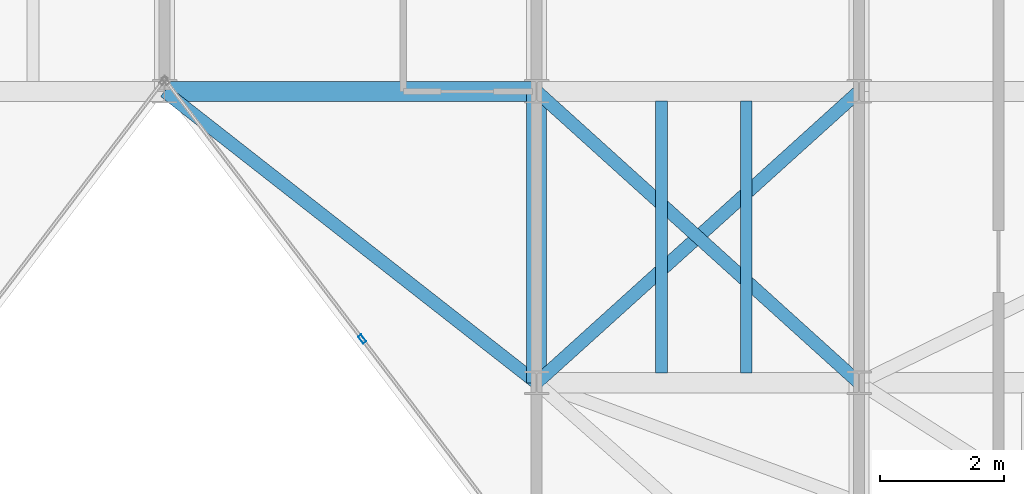
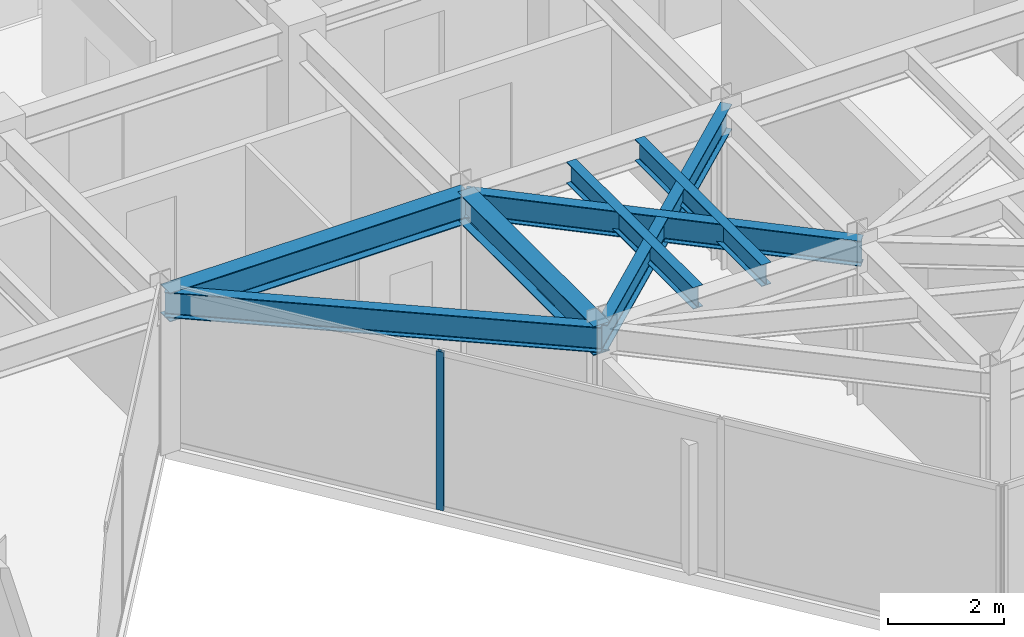
# One storey, part 8 of 17: 7 beams, 1 member, 1 element without a shape of its own.
"""IFC4 building model written with IfcOpenShell, lengths in metres."""

from ifc_helpers import new_model, si_unit, direction, frame, origin, origin_2d, place, context, subcontext, project, spatial, hollow_rectangle, i_section, extrude, material, layer, layer_set, material_profile, profile_set, type_object, element, aggregate, save


model = new_model("IFC4")

# Units and contexts
model_context = context("Model", 3, precision=1e-05, world=origin(), true_north=direction((0.0, 1.0)))
body_context = subcontext(model_context, "Body", "Model", "MODEL_VIEW")
ifc_project = project(units=[si_unit("LENGTHUNIT", "METRE"), si_unit("AREAUNIT", "SQUARE_METRE"), si_unit("VOLUMEUNIT", "CUBIC_METRE"), si_unit("PLANEANGLEUNIT", "RADIAN"), si_unit("MASSUNIT", "GRAM", prefix="KILO")], contexts=[model_context])

# Site, building, storey
site_placement = place(None, origin())
site = spatial("IfcSite", under=ifc_project, at=site_placement, CompositionType="ELEMENT")
building_placement = place(site_placement, origin())
building = spatial("IfcBuilding", under=site, at=building_placement, Name="Kravanh Interchange Tower", CompositionType="ELEMENT")
storey_placement = place(building_placement, frame((0.0, 0.0, 293.10009765625)))
storey = spatial("IfcBuildingStorey", under=building, at=storey_placement, Name="L72", CompositionType="ELEMENT", Elevation=293.10009765625)

# Curtain wall, member
ifc_material_1 = material(Name="Anodised Bronze Aluminium", Category="aluminium")
ifc_layer = layer(ifc_material_1, 0.179931640625)
ifc_layer_set = layer_set([ifc_layer], Name="Unitised Curtain Wall System CW-HTL Luxury Hotel")
curtain_wall_type = type_object("IfcCurtainWallType", Name="Unitised Curtain Wall System CW-HTL Luxury Hotel", PredefinedType="NOTDEFINED", material=ifc_layer_set)
curtain_wall_placement = place(storey_placement, origin())
curtain_wall = element("IfcCurtainWall", 1, at=curtain_wall_placement, inside=storey, type_object=curtain_wall_type, Name="L72 Unitised Curtain Wall CW-L72-04", PredefinedType="NOTDEFINED")
ifc_material_2 = material(Name="Anodised Bronze Aluminium", Category="aluminium")
ifc_material_profile_1 = material_profile(ifc_material_2, hollow_rectangle(XDim=0.06005859375, YDim=0.139892578125, WallThickness=0.00390625, at=origin_2d()), Name="ALU60X140X4")
ifc_profile_set_1 = profile_set([ifc_material_profile_1], Name="Anodised Bronze Aluminium")
member_type = type_object("IfcMemberType", Name="Curtain Wall Mullion ALU60X140X4 Bronze", PredefinedType="MULLION", material=ifc_profile_set_1)
member_placement = place(storey_placement, frame((47.986572265625, 27.505615234375, 0.0), z_axis=(0.0, 0.0, 1.0), x_axis=(-0.79616243806, -0.605082946564, 0.0)))
member = element("IfcMember", 2, at=member_placement, type_object=member_type, Name="CW-HTL mullion 3", PredefinedType="MULLION", context=body_context, shape_type="SweptSolid", body=[
    extrude(hollow_rectangle(XDim=0.06005859375, YDim=0.139892578125, WallThickness=0.00390625, at=origin_2d()), origin(), (0.0, 0.0, 1.0), 3.349853515625),
])
aggregate(curtain_wall, [member])

# Beams
ifc_material_3 = material(Name="Structural Steel S355", Category="steel")
ifc_material_profile_2 = material_profile(ifc_material_3, i_section(OverallWidth=0.323974609375, OverallDepth=0.611083984375, WebThickness=0.0126953125, FlangeThickness=0.01904296875, FilletRadius=0.02197265625, at=origin_2d()), Name="W24X104")
ifc_profile_set_2 = profile_set([ifc_material_profile_2], Name="Structural Steel S355")
beam_type_1 = type_object("IfcBeamType", Name="Floor Beam W24X104 Structural Steel S355", PredefinedType="BEAM", material=ifc_profile_set_2)
beam_1_placement = place(storey_placement, frame((44.800048828125, 31.5, 3.04443359375), z_axis=(1.0, 0.0, 0.0), x_axis=(0.0, 1.0, 0.0)))
element("IfcBeam", 3, at=beam_1_placement, inside=storey, type_object=beam_type_1, Name="L72 Primary Floor Girder 2", PredefinedType="BEAM", context=body_context, shape_type="SweptSolid", body=[
    extrude(i_section(OverallWidth=0.323974609375, OverallDepth=0.611083984375, WebThickness=0.0126953125, FlangeThickness=0.01904296875, FilletRadius=0.02197265625, at=origin_2d()), origin(), (0.0, 0.0, 1.0), 6.0),
])
beam_2_placement = place(storey_placement, frame((50.800048828125, 31.5, 3.04443359375), z_axis=(0.0, -1.0, 0.0), x_axis=(1.0, 0.0, 0.0)))
element("IfcBeam", 4, at=beam_2_placement, inside=storey, type_object=beam_type_1, Name="L72 Primary Floor Girder 5", PredefinedType="BEAM", context=body_context, shape_type="SweptSolid", body=[
    extrude(i_section(OverallWidth=0.323974609375, OverallDepth=0.611083984375, WebThickness=0.0126953125, FlangeThickness=0.01904296875, FilletRadius=0.02197265625, at=origin_2d()), origin(), (0.0, 0.0, 1.0), 4.699951171875),
])
ifc_material_4 = material(Name="Structural Steel S355", Category="steel")
ifc_material_profile_3 = material_profile(ifc_material_4, i_section(OverallWidth=0.18994140625, OverallDepth=0.45703125, WebThickness=0.009033203125, FlangeThickness=0.014404296875, FilletRadius=0.01806640625, at=origin_2d()), Name="W18X50")
ifc_profile_set_3 = profile_set([ifc_material_profile_3], Name="Structural Steel S355")
beam_type_2 = type_object("IfcBeamType", Name="Floor Joist W18X50 Structural Steel S355", PredefinedType="JOIST", material=ifc_profile_set_3)
for number, where, z_axis, x_axis, name in (
    (5, (52.81494140625, 26.95703125, 3.121337890625), (0.0, 1.0, 0.0), (-1.0, 0.0, 0.0), "L72 Secondary Floor Joist 5"),
    (6, (54.179931640625, 26.95703125, 3.121337890625), (0.0, 1.0, 0.0), (-1.0, 0.0, 0.0), "L72 Secondary Floor Joist 6"),
):
    element("IfcBeam", number, at=place(storey_placement, frame(where, z_axis=z_axis, x_axis=x_axis)), inside=storey, type_object=beam_type_2, Name=name, PredefinedType="JOIST", context=body_context, shape_type="SweptSolid", body=[
        extrude(i_section(OverallWidth=0.18994140625, OverallDepth=0.45703125, WebThickness=0.009033203125, FlangeThickness=0.014404296875, FilletRadius=0.01806640625, at=origin_2d()), origin(), (0.0, 0.0, 1.0), 4.385986328125),
    ])
ifc_material_5 = material(Name="Structural Steel S355", Category="steel")
ifc_material_profile_4 = material_profile(ifc_material_5, i_section(OverallWidth=0.2099609375, OverallDepth=0.537109375, WebThickness=0.010986328125, FlangeThickness=0.017333984375, FilletRadius=0.02001953125, at=origin_2d()), Name="W21X68")
ifc_profile_set_4 = profile_set([ifc_material_profile_4], Name="Structural Steel S355")
beam_type_3 = type_object("IfcBeamType", Name="Floor Spandrel W21X68 Structural Steel S355", PredefinedType="SPANDREL", material=ifc_profile_set_4)
beam_3_placement = place(storey_placement, frame((44.800048828125, 31.5, 3.081298828125), z_axis=(0.787231163579, -0.616658004967, 0.0), x_axis=(0.616658004967, 0.787231163579, 0.0)))
element("IfcBeam", 7, at=beam_3_placement, inside=storey, type_object=beam_type_3, Name="L72 Perimeter Spandrel 4", PredefinedType="SPANDREL", context=body_context, shape_type="SweptSolid", body=[
    extrude(i_section(OverallWidth=0.2099609375, OverallDepth=0.537109375, WebThickness=0.010986328125, FlangeThickness=0.017333984375, FilletRadius=0.02001953125, at=origin_2d()), origin(), (0.0, 0.0, 1.0), 7.62158203125),
])
for number, where, z_axis, x_axis, name in (
    (8, (50.800048828125, 31.5, 3.081298828125), (0.741874009795, -0.670539300557, 0.0), (0.670539300557, 0.741874009795, 0.0), "L72 Perimeter Spandrel 8"),
    (9, (56.0, 31.5, 3.081298828125), (-0.741874009795, -0.670539300557, 0.0), (0.670539300557, -0.741874009795, 0.0), "L72 Perimeter Spandrel 11"),
):
    element("IfcBeam", number, at=place(storey_placement, frame(where, z_axis=z_axis, x_axis=x_axis)), inside=storey, type_object=beam_type_3, Name=name, PredefinedType="SPANDREL", context=body_context, shape_type="SweptSolid", body=[
        extrude(i_section(OverallWidth=0.2099609375, OverallDepth=0.537109375, WebThickness=0.010986328125, FlangeThickness=0.017333984375, FilletRadius=0.02001953125, at=origin_2d()), origin(), (0.0, 0.0, 1.0), 7.00927734375),
    ])

save(model, "model.ifc")
